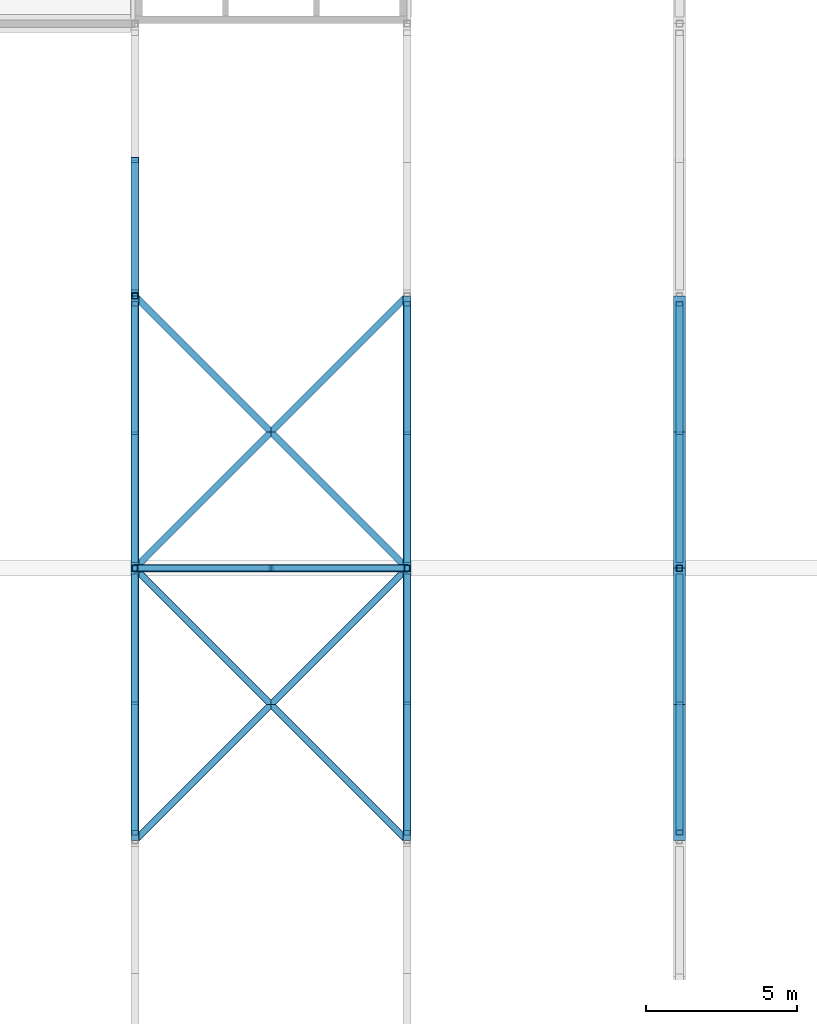
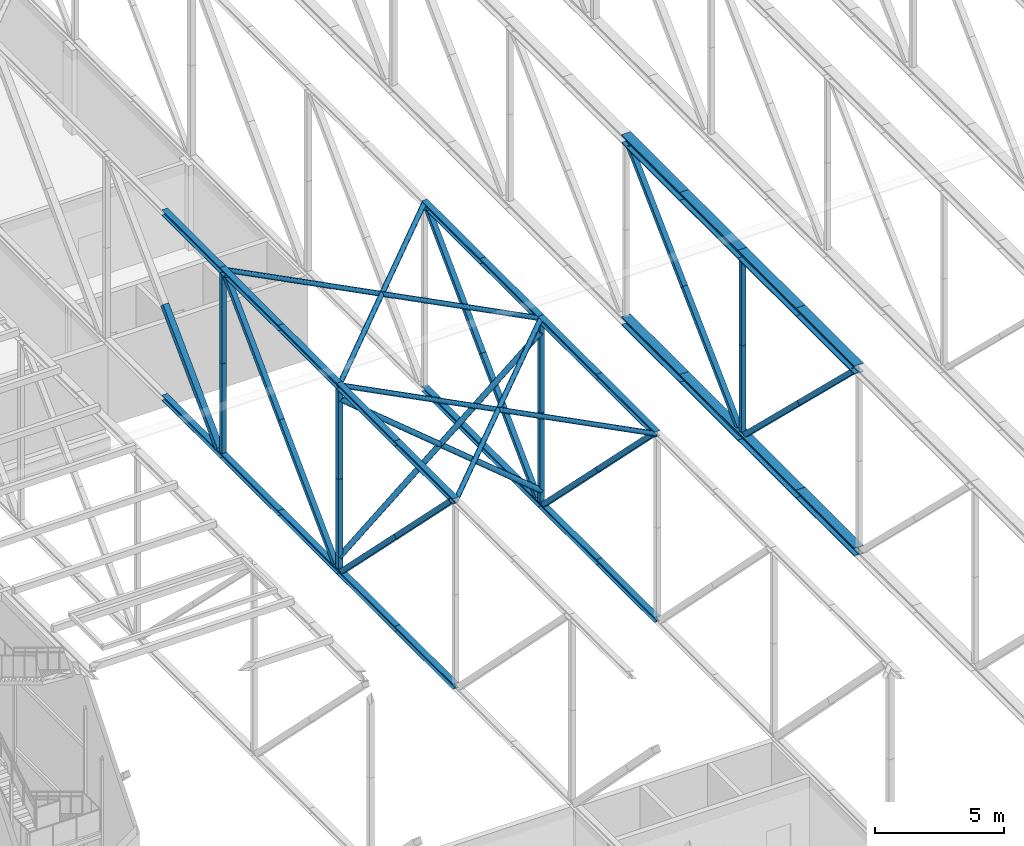
# One storey, part 56 of 646: 59 members.
"""IFC4 building model written with IfcOpenShell, lengths in metres."""

from ifc_helpers import new_model, si_unit, direction, frame, origin, origin_2d, place, context, subcontext, project, spatial, hollow_rectangle, hollow_circle, i_section, extrude, material, material_profile, profile_set, type_object, element, save


model = new_model("IFC4")

# Units and contexts
model_context = context("Model", 3, precision=1e-05, world=origin(), true_north=direction((0.0, 1.0)))
body_context = subcontext(model_context, "Body", "Model", "MODEL_VIEW")
ifc_project = project(units=[si_unit("LENGTHUNIT", "METRE"), si_unit("AREAUNIT", "SQUARE_METRE"), si_unit("VOLUMEUNIT", "CUBIC_METRE"), si_unit("PLANEANGLEUNIT", "RADIAN"), si_unit("MASSUNIT", "GRAM", prefix="KILO")], contexts=[model_context])

# Site, building, storey
site_placement = place(None, origin())
site = spatial("IfcSite", under=ifc_project, at=site_placement, CompositionType="ELEMENT")
building_placement = place(site_placement, origin())
building = spatial("IfcBuilding", under=site, at=building_placement, Name="Silverbay Arena", CompositionType="ELEMENT")
storey_placement = place(building_placement, frame((0.0, 0.0, 33.5)))
storey = spatial("IfcBuildingStorey", under=building, at=storey_placement, Name="L05", CompositionType="ELEMENT", Elevation=33.5)

# Members
ifc_material_1 = material(Name="Steel S355", Category="steel")
ifc_material_profile_1 = material_profile(ifc_material_1, i_section(OverallWidth=0.403076171875, OverallDepth=0.406494140625, WebThickness=0.026611328125, FlangeThickness=0.04296875, at=origin_2d()), Name="UC 356x406x340")
ifc_profile_set_1 = profile_set([ifc_material_profile_1], Name="Steel S355")
member_type_1 = type_object("IfcMemberType", Name="Main-span bottom chord UC 356x406x340", PredefinedType="CHORD", material=ifc_profile_set_1)
for number, where, z_axis, x_axis, name in (
    (1, (108.0, 72.0, 4.203125), (0.0, 1.0, 0.0), (-1.0, 0.0, 0.0), "ROOF TRUSS 13 bottom chord 08a"),
    (2, (108.0, 76.5, 4.203125), (0.0, 1.0, 0.0), (-1.0, 0.0, 0.0), "ROOF TRUSS 13 bottom chord 08b"),
    (3, (108.0, 81.0, 4.203125), (0.0, 1.0, 0.0), (-1.0, 0.0, 0.0), "ROOF TRUSS 13 bottom chord 09a"),
    (4, (108.0, 85.5, 4.203125), (0.0, 1.0, 0.0), (-1.0, 0.0, 0.0), "ROOF TRUSS 13 bottom chord 09b"),
):
    element("IfcMember", number, at=place(storey_placement, frame(where, z_axis=z_axis, x_axis=x_axis)), inside=storey, type_object=member_type_1, Name=name, PredefinedType="CHORD", context=body_context, shape_type="SweptSolid", body=[
        extrude(i_section(OverallWidth=0.403076171875, OverallDepth=0.406494140625, WebThickness=0.026611328125, FlangeThickness=0.04296875, at=origin_2d()), origin(), (0.0, 0.0, 1.0), 4.5),
    ])
ifc_material_2 = material(Name="Steel S355", Category="steel")
ifc_material_profile_2 = material_profile(ifc_material_2, i_section(OverallWidth=0.406982421875, OverallDepth=0.4189453125, WebThickness=0.030517578125, FlangeThickness=0.04931640625, at=origin_2d()), Name="UC 356x406x393")
ifc_profile_set_2 = profile_set([ifc_material_profile_2], Name="Steel S355")
member_type_2 = type_object("IfcMemberType", Name="Main-span top chord UC 356x406x393", PredefinedType="CHORD", material=ifc_profile_set_2)
for number, where, z_axis, x_axis, name in (
    (5, (108.0, 72.0, 12.79052734375), (0.0, 1.0, 0.0), (-1.0, 0.0, 0.0), "ROOF TRUSS 13 top chord 08a"),
    (6, (108.0, 76.5, 12.79052734375), (0.0, 1.0, 0.0), (-1.0, 0.0, 0.0), "ROOF TRUSS 13 top chord 08b"),
    (7, (108.0, 81.0, 12.79052734375), (0.0, 1.0, 0.0), (-1.0, 0.0, 0.0), "ROOF TRUSS 13 top chord 09a"),
    (8, (108.0, 85.5, 12.79052734375), (0.0, 1.0, 0.0), (-1.0, 0.0, 0.0), "ROOF TRUSS 13 top chord 09b"),
):
    element("IfcMember", number, at=place(storey_placement, frame(where, z_axis=z_axis, x_axis=x_axis)), inside=storey, type_object=member_type_2, Name=name, PredefinedType="CHORD", context=body_context, shape_type="SweptSolid", body=[
        extrude(i_section(OverallWidth=0.406982421875, OverallDepth=0.4189453125, WebThickness=0.030517578125, FlangeThickness=0.04931640625, at=origin_2d()), origin(), (0.0, 0.0, 1.0), 4.5),
    ])
ifc_material_3 = material(Name="Steel S355", Category="steel")
ifc_material_profile_3 = material_profile(ifc_material_3, hollow_rectangle(XDim=0.219970703125, YDim=0.219970703125, WallThickness=0.010009765625, at=origin_2d()), Name="SHS 220x220x10")
ifc_profile_set_3 = profile_set([ifc_material_profile_3], Name="Steel S355")
member_type_3 = type_object("IfcMemberType", Name="Main-span truss diagonal SHS 220x220x10", PredefinedType="BRACE", material=ifc_profile_set_3)
member_1_placement = place(storey_placement, frame((108.0, 72.263671875, 12.5810546875), z_axis=(0.0, 0.719642957034, -0.694344305364), x_axis=(-1.0, 0.0, 0.0)))
element("IfcMember", 9, at=member_1_placement, inside=storey, type_object=member_type_3, Name="ROOF TRUSS 13 diagonal 08a", PredefinedType="BRACE", context=body_context, shape_type="SweptSolid", body=[
    extrude(hollow_rectangle(XDim=0.219970703125, YDim=0.219970703125, WallThickness=0.010009765625, at=origin_2d()), origin(), (0.0, 0.0, 1.0), 5.88671875),
])
member_2_placement = place(storey_placement, frame((108.0, 76.5, 8.49365234375), z_axis=(0.0, 0.719663680638, -0.694322826047), x_axis=(-1.0, 0.0, 0.0)))
element("IfcMember", 10, at=member_2_placement, inside=storey, type_object=member_type_3, Name="ROOF TRUSS 13 diagonal 08b", PredefinedType="BRACE", context=body_context, shape_type="SweptSolid", body=[
    extrude(hollow_rectangle(XDim=0.219970703125, YDim=0.219970703125, WallThickness=0.010009765625, at=origin_2d()), origin(), (0.0, 0.0, 1.0), 5.886474609375),
])
member_3_placement = place(storey_placement, frame((108.0, 89.736328125, 12.5810546875), z_axis=(0.0, -0.719642957034, -0.694344305364), x_axis=(1.0, 0.0, 0.0)))
element("IfcMember", 11, at=member_3_placement, inside=storey, type_object=member_type_3, Name="ROOF TRUSS 13 diagonal 09a", PredefinedType="BRACE", context=body_context, shape_type="SweptSolid", body=[
    extrude(hollow_rectangle(XDim=0.219970703125, YDim=0.219970703125, WallThickness=0.010009765625, at=origin_2d()), origin(), (0.0, 0.0, 1.0), 5.88671875),
])
member_4_placement = place(storey_placement, frame((108.0, 85.5, 8.49365234375), z_axis=(0.0, -0.719663680638, -0.694322826047), x_axis=(1.0, 0.0, 0.0)))
element("IfcMember", 12, at=member_4_placement, inside=storey, type_object=member_type_3, Name="ROOF TRUSS 13 diagonal 09b", PredefinedType="BRACE", context=body_context, shape_type="SweptSolid", body=[
    extrude(hollow_rectangle(XDim=0.219970703125, YDim=0.219970703125, WallThickness=0.010009765625, at=origin_2d()), origin(), (0.0, 0.0, 1.0), 5.886474609375),
])
ifc_material_4 = material(Name="Steel S355", Category="steel")
ifc_material_profile_4 = material_profile(ifc_material_4, hollow_rectangle(XDim=0.199951171875, YDim=0.199951171875, WallThickness=0.008056640625, at=origin_2d()), Name="SHS 200x200x8")
ifc_profile_set_4 = profile_set([ifc_material_profile_4], Name="Steel S355")
member_type_4 = type_object("IfcMemberType", Name="Main-span truss vertical SHS 200x200x8", PredefinedType="STRUT", material=ifc_profile_set_4)
member_5_placement = place(storey_placement, frame((108.0, 81.0, 4.406494140625), z_axis=(0.0, 0.0, 1.0), x_axis=(1.0, 0.0, 0.0)))
element("IfcMember", 13, at=member_5_placement, inside=storey, type_object=member_type_4, Name="ROOF TRUSS 13 vertical 09a", PredefinedType="STRUT", context=body_context, shape_type="SweptSolid", body=[
    extrude(hollow_rectangle(XDim=0.199951171875, YDim=0.199951171875, WallThickness=0.008056640625, at=origin_2d()), origin(), (0.0, 0.0, 1.0), 4.087158203125),
])
member_6_placement = place(storey_placement, frame((108.0, 81.0, 8.49365234375), z_axis=(0.0, 0.0, 1.0), x_axis=(1.0, 0.0, 0.0)))
element("IfcMember", 14, at=member_6_placement, inside=storey, type_object=member_type_4, Name="ROOF TRUSS 13 vertical 09b", PredefinedType="STRUT", context=body_context, shape_type="SweptSolid", body=[
    extrude(hollow_rectangle(XDim=0.199951171875, YDim=0.199951171875, WallThickness=0.008056640625, at=origin_2d()), origin(), (0.0, 0.0, 1.0), 4.08740234375),
])
ifc_material_5 = material(Name="Steel S355", Category="steel")
ifc_material_profile_5 = material_profile(ifc_material_5, i_section(OverallWidth=0.254638671875, OverallDepth=0.254150390625, WebThickness=0.008544921875, FlangeThickness=0.01416015625, at=origin_2d()), Name="UC 254x254x73")
ifc_profile_set_5 = profile_set([ifc_material_profile_5], Name="Steel S355")
member_type_5 = type_object("IfcMemberType", Name="Medium-span bottom chord UC 254x254x73", PredefinedType="CHORD", material=ifc_profile_set_5)
for number, where, z_axis, x_axis, name in (
    (15, (90.0, 72.0, 4.126953125), (0.0, 1.0, 0.0), (-1.0, 0.0, 0.0), "ROOF TRUSS 11 bottom chord 08a"),
    (16, (90.0, 76.5, 4.126953125), (0.0, 1.0, 0.0), (-1.0, 0.0, 0.0), "ROOF TRUSS 11 bottom chord 08b"),
    (17, (90.0, 81.0, 4.126953125), (0.0, 1.0, 0.0), (-1.0, 0.0, 0.0), "ROOF TRUSS 11 bottom chord 09a"),
    (18, (90.0, 85.5, 4.126953125), (0.0, 1.0, 0.0), (-1.0, 0.0, 0.0), "ROOF TRUSS 11 bottom chord 09b"),
    (19, (90.0, 90.0, 4.126953125), (0.0, 1.0, 0.0), (-1.0, 0.0, 0.0), "ROOF TRUSS 11 bottom chord 10a"),
    (20, (99.0, 72.0, 4.126953125), (0.0, 1.0, 0.0), (-1.0, 0.0, 0.0), "ROOF TRUSS 12 bottom chord 08a"),
    (21, (99.0, 76.5, 4.126953125), (0.0, 1.0, 0.0), (-1.0, 0.0, 0.0), "ROOF TRUSS 12 bottom chord 08b"),
    (22, (99.0, 81.0, 4.126953125), (0.0, 1.0, 0.0), (-1.0, 0.0, 0.0), "ROOF TRUSS 12 bottom chord 09a"),
    (23, (99.0, 85.5, 4.126953125), (0.0, 1.0, 0.0), (-1.0, 0.0, 0.0), "ROOF TRUSS 12 bottom chord 09b"),
):
    element("IfcMember", number, at=place(storey_placement, frame(where, z_axis=z_axis, x_axis=x_axis)), inside=storey, type_object=member_type_5, Name=name, PredefinedType="CHORD", context=body_context, shape_type="SweptSolid", body=[
        extrude(i_section(OverallWidth=0.254638671875, OverallDepth=0.254150390625, WebThickness=0.008544921875, FlangeThickness=0.01416015625, at=origin_2d()), origin(), (0.0, 0.0, 1.0), 4.5),
    ])
ifc_material_6 = material(Name="Steel S355", Category="steel")
ifc_material_profile_6 = material_profile(ifc_material_6, i_section(OverallWidth=0.2587890625, OverallDepth=0.2666015625, WebThickness=0.0126953125, FlangeThickness=0.0205078125, at=origin_2d()), Name="UC 254x254x107")
ifc_profile_set_6 = profile_set([ifc_material_profile_6], Name="Steel S355")
member_type_6 = type_object("IfcMemberType", Name="Medium-span top chord UC 254x254x107", PredefinedType="CHORD", material=ifc_profile_set_6)
for number, where, z_axis, x_axis, name in (
    (24, (90.0, 72.0, 12.86669921875), (0.0, 1.0, 0.0), (-1.0, 0.0, 0.0), "ROOF TRUSS 11 top chord 08a"),
    (25, (90.0, 76.5, 12.86669921875), (0.0, 1.0, 0.0), (-1.0, 0.0, 0.0), "ROOF TRUSS 11 top chord 08b"),
    (26, (90.0, 81.0, 12.86669921875), (0.0, 1.0, 0.0), (-1.0, 0.0, 0.0), "ROOF TRUSS 11 top chord 09a"),
    (27, (90.0, 85.5, 12.86669921875), (0.0, 1.0, 0.0), (-1.0, 0.0, 0.0), "ROOF TRUSS 11 top chord 09b"),
    (28, (90.0, 90.0, 12.86669921875), (0.0, 1.0, 0.0), (-1.0, 0.0, 0.0), "ROOF TRUSS 11 top chord 10a"),
    (29, (99.0, 72.0, 12.86669921875), (0.0, 1.0, 0.0), (-1.0, 0.0, 0.0), "ROOF TRUSS 12 top chord 08a"),
    (30, (99.0, 76.5, 12.86669921875), (0.0, 1.0, 0.0), (-1.0, 0.0, 0.0), "ROOF TRUSS 12 top chord 08b"),
    (31, (99.0, 81.0, 12.86669921875), (0.0, 1.0, 0.0), (-1.0, 0.0, 0.0), "ROOF TRUSS 12 top chord 09a"),
    (32, (99.0, 85.5, 12.86669921875), (0.0, 1.0, 0.0), (-1.0, 0.0, 0.0), "ROOF TRUSS 12 top chord 09b"),
):
    element("IfcMember", number, at=place(storey_placement, frame(where, z_axis=z_axis, x_axis=x_axis)), inside=storey, type_object=member_type_6, Name=name, PredefinedType="CHORD", context=body_context, shape_type="SweptSolid", body=[
        extrude(i_section(OverallWidth=0.2587890625, OverallDepth=0.2666015625, WebThickness=0.0126953125, FlangeThickness=0.0205078125, at=origin_2d()), origin(), (0.0, 0.0, 1.0), 4.5),
    ])
ifc_material_7 = material(Name="Steel S355", Category="steel")
ifc_material_profile_7 = material_profile(ifc_material_7, hollow_rectangle(XDim=0.219970703125, YDim=0.219970703125, WallThickness=0.008056640625, at=origin_2d()), Name="SHS 220x220x8")
ifc_profile_set_7 = profile_set([ifc_material_profile_7], Name="Steel S355")
member_type_7 = type_object("IfcMemberType", Name="Medium-span truss diagonal SHS 220x220x8", PredefinedType="BRACE", material=ifc_profile_set_7)
member_7_placement = place(storey_placement, frame((90.0, 72.260498046875, 12.7333984375), z_axis=(0.0, 0.707086421365, -0.707127140422), x_axis=(-1.0, 0.0, 0.0)))
element("IfcMember", 33, at=member_7_placement, inside=storey, type_object=member_type_7, Name="ROOF TRUSS 11 diagonal 08a", PredefinedType="BRACE", context=body_context, shape_type="SweptSolid", body=[
    extrude(hollow_rectangle(XDim=0.219970703125, YDim=0.219970703125, WallThickness=0.008056640625, at=origin_2d()), origin(), (0.0, 0.0, 1.0), 5.995849609375),
])
member_8_placement = place(storey_placement, frame((90.0, 76.5, 8.49365234375), z_axis=(0.0, 0.707106781187, -0.707106781187), x_axis=(-1.0, 0.0, 0.0)))
element("IfcMember", 34, at=member_8_placement, inside=storey, type_object=member_type_7, Name="ROOF TRUSS 11 diagonal 08b", PredefinedType="BRACE", context=body_context, shape_type="SweptSolid", body=[
    extrude(hollow_rectangle(XDim=0.219970703125, YDim=0.219970703125, WallThickness=0.008056640625, at=origin_2d()), origin(), (0.0, 0.0, 1.0), 5.99560546875),
])
member_9_placement = place(storey_placement, frame((90.0, 89.739501953125, 12.7333984375), z_axis=(0.0, -0.707086421365, -0.707127140422), x_axis=(1.0, 0.0, 0.0)))
element("IfcMember", 35, at=member_9_placement, inside=storey, type_object=member_type_7, Name="ROOF TRUSS 11 diagonal 09a", PredefinedType="BRACE", context=body_context, shape_type="SweptSolid", body=[
    extrude(hollow_rectangle(XDim=0.219970703125, YDim=0.219970703125, WallThickness=0.008056640625, at=origin_2d()), origin(), (0.0, 0.0, 1.0), 5.995849609375),
])
member_10_placement = place(storey_placement, frame((90.0, 85.5, 8.49365234375), z_axis=(0.0, -0.707106781187, -0.707106781187), x_axis=(1.0, 0.0, 0.0)))
element("IfcMember", 36, at=member_10_placement, inside=storey, type_object=member_type_7, Name="ROOF TRUSS 11 diagonal 09b", PredefinedType="BRACE", context=body_context, shape_type="SweptSolid", body=[
    extrude(hollow_rectangle(XDim=0.219970703125, YDim=0.219970703125, WallThickness=0.008056640625, at=origin_2d()), origin(), (0.0, 0.0, 1.0), 5.99560546875),
])
member_11_placement = place(storey_placement, frame((99.0, 72.260498046875, 12.7333984375), z_axis=(0.0, 0.707086421365, -0.707127140422), x_axis=(-1.0, 0.0, 0.0)))
element("IfcMember", 37, at=member_11_placement, inside=storey, type_object=member_type_7, Name="ROOF TRUSS 12 diagonal 08a", PredefinedType="BRACE", context=body_context, shape_type="SweptSolid", body=[
    extrude(hollow_rectangle(XDim=0.219970703125, YDim=0.219970703125, WallThickness=0.008056640625, at=origin_2d()), origin(), (0.0, 0.0, 1.0), 5.995849609375),
])
member_12_placement = place(storey_placement, frame((99.0, 76.5, 8.49365234375), z_axis=(0.0, 0.707106781187, -0.707106781187), x_axis=(-1.0, 0.0, 0.0)))
element("IfcMember", 38, at=member_12_placement, inside=storey, type_object=member_type_7, Name="ROOF TRUSS 12 diagonal 08b", PredefinedType="BRACE", context=body_context, shape_type="SweptSolid", body=[
    extrude(hollow_rectangle(XDim=0.219970703125, YDim=0.219970703125, WallThickness=0.008056640625, at=origin_2d()), origin(), (0.0, 0.0, 1.0), 5.99560546875),
])
member_13_placement = place(storey_placement, frame((99.0, 89.739501953125, 12.7333984375), z_axis=(0.0, -0.707086421365, -0.707127140422), x_axis=(1.0, 0.0, 0.0)))
element("IfcMember", 39, at=member_13_placement, inside=storey, type_object=member_type_7, Name="ROOF TRUSS 12 diagonal 09a", PredefinedType="BRACE", context=body_context, shape_type="SweptSolid", body=[
    extrude(hollow_rectangle(XDim=0.219970703125, YDim=0.219970703125, WallThickness=0.008056640625, at=origin_2d()), origin(), (0.0, 0.0, 1.0), 5.995849609375),
])
member_14_placement = place(storey_placement, frame((99.0, 85.5, 8.49365234375), z_axis=(0.0, -0.707106781187, -0.707106781187), x_axis=(1.0, 0.0, 0.0)))
element("IfcMember", 40, at=member_14_placement, inside=storey, type_object=member_type_7, Name="ROOF TRUSS 12 diagonal 09b", PredefinedType="BRACE", context=body_context, shape_type="SweptSolid", body=[
    extrude(hollow_rectangle(XDim=0.219970703125, YDim=0.219970703125, WallThickness=0.008056640625, at=origin_2d()), origin(), (0.0, 0.0, 1.0), 5.99560546875),
])
ifc_material_8 = material(Name="Steel S355", Category="steel")
ifc_material_profile_8 = material_profile(ifc_material_8, hollow_rectangle(XDim=0.260009765625, YDim=0.260009765625, WallThickness=0.010009765625, at=origin_2d()), Name="SHS 260x260x10")
ifc_profile_set_8 = profile_set([ifc_material_profile_8], Name="Steel S355")
member_type_8 = type_object("IfcMemberType", Name="Medium-span truss diagonal SHS 260x260x10", PredefinedType="BRACE", material=ifc_profile_set_8)
member_15_placement = place(storey_placement, frame((90.0, 94.4951171875, 8.49365234375), z_axis=(0.0, -0.704259667026, -0.709942477529), x_axis=(1.0, 0.0, 0.0)))
element("IfcMember", 41, at=member_15_placement, inside=storey, type_object=member_type_8, Name="ROOF TRUSS 11 diagonal 10b", PredefinedType="BRACE", context=body_context, shape_type="SweptSolid", body=[
    extrude(hollow_rectangle(XDim=0.260009765625, YDim=0.260009765625, WallThickness=0.010009765625, at=origin_2d()), origin(), (0.0, 0.0, 1.0), 5.9716796875),
])
ifc_material_9 = material(Name="Steel S355", Category="steel")
ifc_material_profile_9 = material_profile(ifc_material_9, hollow_rectangle(XDim=0.199951171875, YDim=0.199951171875, WallThickness=0.008056640625, at=origin_2d()), Name="SHS 200x200x8")
ifc_profile_set_9 = profile_set([ifc_material_profile_9], Name="Steel S355")
member_type_9 = type_object("IfcMemberType", Name="Medium-span truss vertical SHS 200x200x8", PredefinedType="STRUT", material=ifc_profile_set_9)
member_16_placement = place(storey_placement, frame((90.0, 81.0, 4.254150390625), z_axis=(0.0, 0.0, 1.0), x_axis=(1.0, 0.0, 0.0)))
element("IfcMember", 42, at=member_16_placement, inside=storey, type_object=member_type_9, Name="ROOF TRUSS 11 vertical 09a", PredefinedType="STRUT", context=body_context, shape_type="SweptSolid", body=[
    extrude(hollow_rectangle(XDim=0.199951171875, YDim=0.199951171875, WallThickness=0.008056640625, at=origin_2d()), origin(), (0.0, 0.0, 1.0), 4.239501953125),
])
member_17_placement = place(storey_placement, frame((90.0, 81.0, 8.49365234375), z_axis=(0.0, 0.0, 1.0), x_axis=(1.0, 0.0, 0.0)))
element("IfcMember", 43, at=member_17_placement, inside=storey, type_object=member_type_9, Name="ROOF TRUSS 11 vertical 09b", PredefinedType="STRUT", context=body_context, shape_type="SweptSolid", body=[
    extrude(hollow_rectangle(XDim=0.199951171875, YDim=0.199951171875, WallThickness=0.008056640625, at=origin_2d()), origin(), (0.0, 0.0, 1.0), 4.23974609375),
])
member_18_placement = place(storey_placement, frame((90.0, 90.0, 4.254150390625), z_axis=(0.0, 0.0, 1.0), x_axis=(1.0, 0.0, 0.0)))
element("IfcMember", 44, at=member_18_placement, inside=storey, type_object=member_type_9, Name="ROOF TRUSS 11 vertical 10a", PredefinedType="STRUT", context=body_context, shape_type="SweptSolid", body=[
    extrude(hollow_rectangle(XDim=0.199951171875, YDim=0.199951171875, WallThickness=0.008056640625, at=origin_2d()), origin(), (0.0, 0.0, 1.0), 4.239501953125),
])
member_19_placement = place(storey_placement, frame((90.0, 90.0, 8.49365234375), z_axis=(0.0, 0.0, 1.0), x_axis=(1.0, 0.0, 0.0)))
element("IfcMember", 45, at=member_19_placement, inside=storey, type_object=member_type_9, Name="ROOF TRUSS 11 vertical 10b", PredefinedType="STRUT", context=body_context, shape_type="SweptSolid", body=[
    extrude(hollow_rectangle(XDim=0.199951171875, YDim=0.199951171875, WallThickness=0.008056640625, at=origin_2d()), origin(), (0.0, 0.0, 1.0), 4.23974609375),
])
member_20_placement = place(storey_placement, frame((99.0, 81.0, 4.254150390625), z_axis=(0.0, 0.0, 1.0), x_axis=(1.0, 0.0, 0.0)))
element("IfcMember", 46, at=member_20_placement, inside=storey, type_object=member_type_9, Name="ROOF TRUSS 12 vertical 09a", PredefinedType="STRUT", context=body_context, shape_type="SweptSolid", body=[
    extrude(hollow_rectangle(XDim=0.199951171875, YDim=0.199951171875, WallThickness=0.008056640625, at=origin_2d()), origin(), (0.0, 0.0, 1.0), 4.239501953125),
])
member_21_placement = place(storey_placement, frame((99.0, 81.0, 8.49365234375), z_axis=(0.0, 0.0, 1.0), x_axis=(1.0, 0.0, 0.0)))
element("IfcMember", 47, at=member_21_placement, inside=storey, type_object=member_type_9, Name="ROOF TRUSS 12 vertical 09b", PredefinedType="STRUT", context=body_context, shape_type="SweptSolid", body=[
    extrude(hollow_rectangle(XDim=0.199951171875, YDim=0.199951171875, WallThickness=0.008056640625, at=origin_2d()), origin(), (0.0, 0.0, 1.0), 4.23974609375),
])
ifc_material_10 = material(Name="Steel S355", Category="steel")
ifc_material_profile_10 = material_profile(ifc_material_10, hollow_circle(Radius=0.109619140625, WallThickness=0.00634765625, at=origin_2d()), Name="CHS 219.1x6.3")
ifc_profile_set_10 = profile_set([ifc_material_profile_10], Name="Steel S355")
member_type_10 = type_object("IfcMemberType", Name="Plan bracing CHS 219.1x6.3", PredefinedType="BRACE", material=ifc_profile_set_10)
for number, where, z_axis, x_axis, name in (
    (48, (90.0, 72.0, 12.86669921875), (0.707106781187, 0.707106781187, 0.0), (-0.707106781187, 0.707106781187, 0.0), "ROOF BRACING top 11-12 panel 08 Aa"),
    (49, (94.5, 76.5, 12.86669921875), (0.707106781187, 0.707106781187, 0.0), (-0.707106781187, 0.707106781187, 0.0), "ROOF BRACING top 11-12 panel 08 Ab"),
    (50, (90.0, 81.0, 12.86669921875), (0.707106781187, -0.707106781187, 0.0), (0.707106781187, 0.707106781187, 0.0), "ROOF BRACING top 11-12 panel 08 Ba"),
    (51, (94.5, 76.5, 12.86669921875), (0.707106781187, -0.707106781187, 0.0), (0.707106781187, 0.707106781187, 0.0), "ROOF BRACING top 11-12 panel 08 Bb"),
    (52, (90.0, 81.0, 12.86669921875), (0.707106781187, 0.707106781187, 0.0), (-0.707106781187, 0.707106781187, 0.0), "ROOF BRACING top 11-12 panel 09 Aa"),
    (53, (94.5, 85.5, 12.86669921875), (0.707106781187, 0.707106781187, 0.0), (-0.707106781187, 0.707106781187, 0.0), "ROOF BRACING top 11-12 panel 09 Ab"),
    (54, (90.0, 90.0, 12.86669921875), (0.707106781187, -0.707106781187, 0.0), (0.707106781187, 0.707106781187, 0.0), "ROOF BRACING top 11-12 panel 09 Ba"),
    (55, (94.5, 85.5, 12.86669921875), (0.707106781187, -0.707106781187, 0.0), (0.707106781187, 0.707106781187, 0.0), "ROOF BRACING top 11-12 panel 09 Bb"),
):
    element("IfcMember", number, at=place(storey_placement, frame(where, z_axis=z_axis, x_axis=x_axis)), inside=storey, type_object=member_type_10, Name=name, PredefinedType="BRACE", context=body_context, shape_type="SweptSolid", body=[
        extrude(hollow_circle(Radius=0.109619140625, WallThickness=0.00634765625, at=origin_2d()), origin(), (0.0, 0.0, 1.0), 6.364013671875),
    ])
ifc_material_11 = material(Name="Steel S355", Category="steel")
ifc_material_profile_11 = material_profile(ifc_material_11, hollow_circle(Radius=0.122314453125, WallThickness=0.00634765625, at=origin_2d()), Name="CHS 244.5x6.3")
ifc_profile_set_11 = profile_set([ifc_material_profile_11], Name="Steel S355")
member_type_11 = type_object("IfcMemberType", Name="Vertical bracing CHS 244.5x6.3", PredefinedType="BRACE", material=ifc_profile_set_11)
for number, where, z_axis, x_axis, name in (
    (56, (90.0, 81.0, 4.754150390625), (0.769102962821, 0.0, 0.639124895916), (0.0, 1.0, 0.0), "ROOF BRACING vertical 11-12 line 09 Aa"),
    (57, (94.5, 81.0, 8.49365234375), (0.769082452189, 0.0, 0.639149576966), (0.0, 1.0, 0.0), "ROOF BRACING vertical 11-12 line 09 Ab"),
    (58, (90.0, 81.0, 12.2333984375), (0.769082452189, 0.0, -0.639149576966), (0.0, 1.0, 0.0), "ROOF BRACING vertical 11-12 line 09 Ba"),
    (59, (94.5, 81.0, 8.49365234375), (0.769102962821, 0.0, -0.639124895916), (0.0, 1.0, 0.0), "ROOF BRACING vertical 11-12 line 09 Bb"),
):
    element("IfcMember", number, at=place(storey_placement, frame(where, z_axis=z_axis, x_axis=x_axis)), inside=storey, type_object=member_type_11, Name=name, PredefinedType="BRACE", context=body_context, shape_type="SweptSolid", body=[
        extrude(hollow_circle(Radius=0.122314453125, WallThickness=0.00634765625, at=origin_2d()), origin(), (0.0, 0.0, 1.0), 5.85107421875),
    ])

save(model, "model.ifc")
